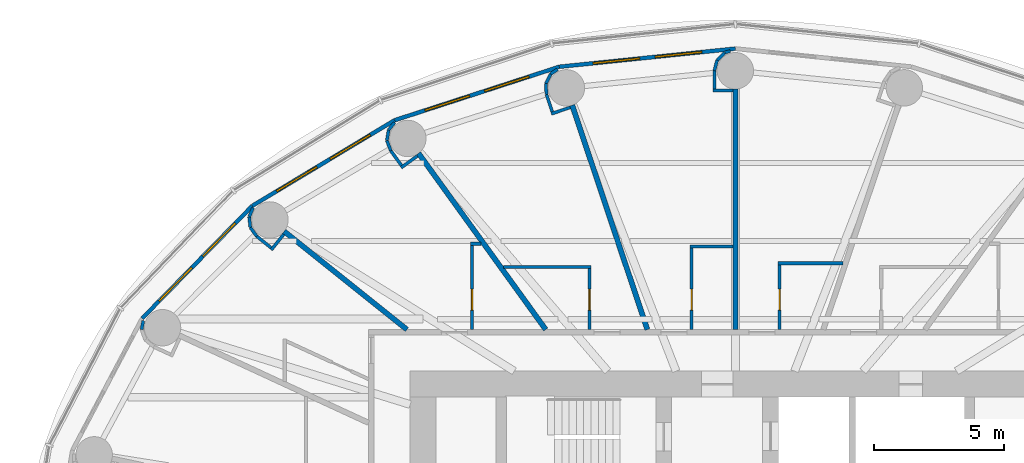
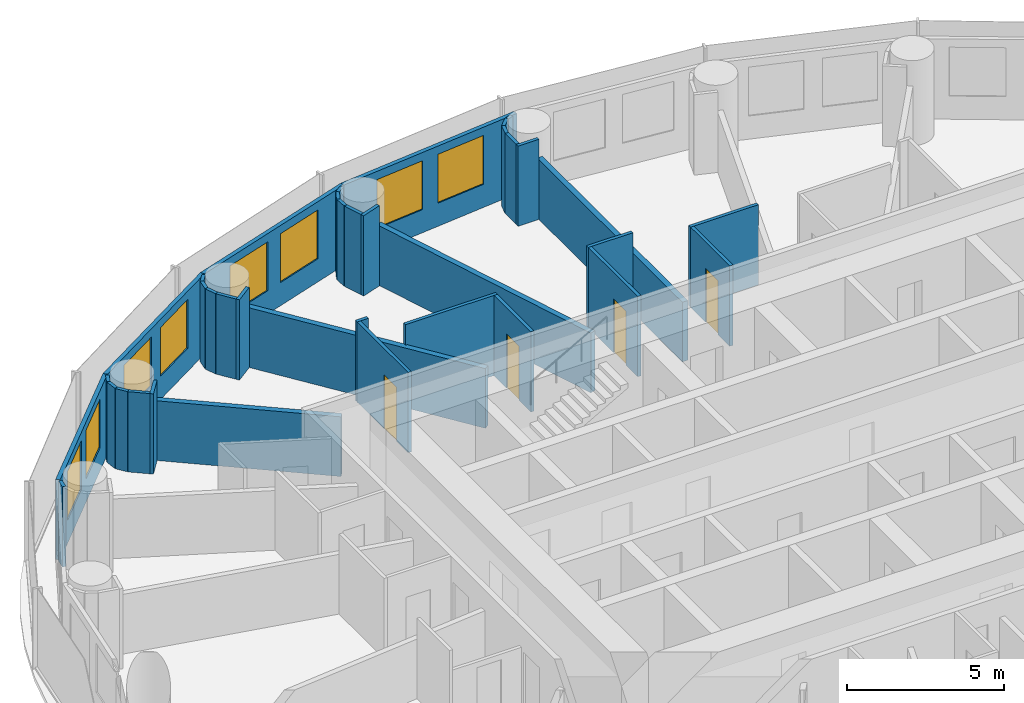
# One storey, part 12 of 14: 37 walls, 8 windows, 4 doors, 12 openings.
"""IFC4 building model written with IfcOpenShell, lengths in metres."""

import ifcopenshell
import ifcopenshell.guid

model = None  # the IFC model being written
_history = None  # IfcOwnerHistory: only IFC2X3 demands one
_inside = {}  # id of a spatial element -> (the spatial element, [elements in it])
_under = {}  # id of a project, library or spatial element -> (it, [spatial elements below it])
_declared = {}  # id of a project -> (the project, [libraries it declares])
_typed = {}  # id of a type object -> (the type object, [elements of that type])
_made_of = {}  # id of a material, layer set ... -> (it, [elements and type objects made of it])


def new_model(schema):
    """Start an empty IFC model of exactly this schema.

    Asked for "IFC4X3", IfcOpenShell would pick the latest addendum, in which some entities
    have other attributes; the version numbers below select the first issue.
    IFC2X3 requires an IfcOwnerHistory on every rooted entity: one is made here for all.
    """
    global model, _history
    if schema == "IFC4X3":
        model = ifcopenshell.file(schema_version=(4, 3, 0, 0))
    else:
        model = ifcopenshell.file(schema=schema)
    _inside.clear()
    _under.clear()
    _declared.clear()
    _typed.clear()
    _made_of.clear()
    _history = None
    if model.schema == "IFC2X3":
        org = make("IfcOrganization", Name="unknown")
        user = make(
            "IfcPersonAndOrganization",
            ThePerson=make("IfcPerson", FamilyName="unknown"),
            TheOrganization=org,
        )
        app = make(
            "IfcApplication",
            ApplicationDeveloper=org,
            Version="unknown",
            ApplicationFullName="unknown",
            ApplicationIdentifier="unknown",
        )
        _history = make(
            "IfcOwnerHistory",
            OwningUser=user,
            OwningApplication=app,
            ChangeAction="ADDED",
            CreationDate=0,
        )
    return model


def make(cls, **values):
    """One entity of the class cls with the attributes given. An attribute that is None is left unset."""
    return model.create_entity(
        cls, **{name: value for name, value in values.items() if value is not None}
    )


def rooted(cls, **values):
    """An entity with a GlobalId (a new one), such as an element, a storey or a relation."""
    return make(cls, GlobalId=ifcopenshell.guid.new(), OwnerHistory=_history, **values)


def si_unit(unit_type, name, prefix=None):
    """IfcSIUnit, for example si_unit("LENGTHUNIT", "METRE", prefix="MILLI")."""
    return make("IfcSIUnit", UnitType=unit_type, Prefix=prefix, Name=name)


def assignment(units):
    """IfcUnitAssignment: the units of a project."""
    return None if units is None else make("IfcUnitAssignment", Units=units)


def point(xyz):
    """IfcCartesianPoint."""
    return None if xyz is None else make("IfcCartesianPoint", Coordinates=xyz)


def direction(xyz):
    """IfcDirection."""
    return None if xyz is None else make("IfcDirection", DirectionRatios=xyz)


def frame(location, z_axis=None, x_axis=None):
    """IfcAxis2Placement3D, a coordinate frame: its origin and axes. An axis left out is left unset."""
    return make(
        "IfcAxis2Placement3D",
        Location=point(location),
        Axis=direction(z_axis),
        RefDirection=direction(x_axis),
    )


def frame_2d(location, x_axis=None):
    """IfcAxis2Placement2D, a coordinate frame in the plane: its origin and x axis."""
    return make(
        "IfcAxis2Placement2D", Location=point(location), RefDirection=direction(x_axis)
    )


def origin():
    """The frame at (0, 0, 0) with its axes left unset."""
    return frame((0.0, 0.0, 0.0))


def place(relative_to, where):
    """IfcLocalPlacement: puts the frame where relative to a parent placement (None: the world)."""
    return make(
        "IfcLocalPlacement", PlacementRelTo=relative_to, RelativePlacement=where
    )


def context(
    kind, dimensions, precision=None, world=None, true_north=None, identifier=None
):
    """IfcGeometricRepresentationContext, for example the 3D "Model" context."""
    return make(
        "IfcGeometricRepresentationContext",
        ContextIdentifier=identifier,
        ContextType=kind,
        CoordinateSpaceDimension=dimensions,
        Precision=precision,
        WorldCoordinateSystem=world,
        TrueNorth=true_north,
    )


def subcontext(parent, identifier, kind, view, scale=None):
    """IfcGeometricRepresentationSubContext, for example "Body" below "Model"."""
    return make(
        "IfcGeometricRepresentationSubContext",
        ContextIdentifier=identifier,
        ContextType=kind,
        ParentContext=parent,
        TargetScale=scale,
        TargetView=view,
    )


def project(units=None, contexts=None):
    """IfcProject with its units and contexts."""
    return rooted(
        "IfcProject",
        Name="project",
        RepresentationContexts=contexts,
        UnitsInContext=assignment(units),
    )


def spatial(cls, under=None, at=None, **own):
    """A site, building, storey or space (cls), placed at a placement, below another one or the project."""
    s = rooted(cls, ObjectPlacement=at, **own)
    if under is not None:
        _under.setdefault(under.id(), (under, []))[1].append(s)
    return s


def profile(cls, at=None, kind="AREA", **sizes):
    """A parametric profile (cls). Its sizes go by their IFC names, for example OverallWidth=200.0."""
    return make(cls, ProfileType=kind, Position=at, **sizes)


def rectangle(**sizes):
    """IfcRectangleProfileDef."""
    return profile("IfcRectangleProfileDef", **sizes)


def extrude(swept, where, along, depth):
    """IfcExtrudedAreaSolid: the profile swept, set in the frame where, extruded along a direction by depth."""
    return make(
        "IfcExtrudedAreaSolid",
        SweptArea=swept,
        Position=where,
        ExtrudedDirection=direction(along),
        Depth=depth,
    )


def shape(context_of_items, identifier, shape_type, items):
    """IfcShapeRepresentation: the items that make up one representation, for example the "Body"."""
    return make(
        "IfcShapeRepresentation",
        ContextOfItems=context_of_items,
        RepresentationIdentifier=identifier,
        RepresentationType=shape_type,
        Items=items,
    )


def material(Name=None, Category=None):
    """IfcMaterial."""
    return make("IfcMaterial", Name=Name, Category=Category)


def layer(
    of_material, thickness, ventilated=None, Name=None, Category=None, Priority=None
):
    """IfcMaterialLayer: one layer of a wall or slab, of a material (None: an air gap)."""
    return make(
        "IfcMaterialLayer",
        Material=of_material,
        LayerThickness=thickness,
        IsVentilated=ventilated,
        Name=Name,
        Category=Category,
        Priority=Priority,
    )


def layer_set(layers, Name=None):
    """IfcMaterialLayerSet."""
    return make("IfcMaterialLayerSet", MaterialLayers=layers, LayerSetName=Name)


def made_of(thing, what):
    """Note that an element or type object is made of a material, layer set ...; save() writes the relation."""
    if what is not None:
        _made_of.setdefault(what.id(), (what, []))[1].append(thing)
    return thing


def type_object(cls, material=None, **own):
    """A type object (cls), such as IfcWallType, which elements share."""
    return made_of(rooted(cls, **own), material)


def element(
    cls,
    number,
    at=None,
    inside=None,
    cuts=None,
    type_object=None,
    material=None,
    context=None,
    identifier="Body",
    shape_type=None,
    held_by="IfcProductDefinitionShape",
    body=None,
    shapes=None,
    **own,
):
    """One element of the class cls, such as IfcWall. Its Tag is "e" and its number.

    at: its placement. inside: the storey or other place that contains it. cuts: it is an
    opening in that element (IfcRelVoidsElement). A single representation is given by context,
    identifier, shape_type and body (its items); several are given by shapes. held_by: the class
    of the entity that holds the representations. save() writes the other relations.
    """
    e = rooted(cls, Tag="e%d" % number, ObjectPlacement=at, **own)
    if body is not None:
        shapes = [shape(context, identifier, shape_type, body)]
    if shapes is not None:
        e.Representation = make(held_by, Representations=shapes)
    if inside is not None:
        _inside.setdefault(inside.id(), (inside, []))[1].append(e)
    if cuts is not None:
        rooted(
            "IfcRelVoidsElement", RelatingBuildingElement=cuts, RelatedOpeningElement=e
        )
    if type_object is not None:
        _typed.setdefault(type_object.id(), (type_object, []))[1].append(e)
    return made_of(e, material)


def fill(opening, filler):
    """IfcRelFillsElement: the door or window that sits in an opening."""
    return rooted(
        "IfcRelFillsElement",
        RelatingOpeningElement=opening,
        RelatedBuildingElement=filler,
    )


def aggregate(whole, parts):
    """IfcRelAggregates: a whole, such as a stair, and the parts it consists of."""
    return rooted("IfcRelAggregates", RelatingObject=whole, RelatedObjects=parts)


def save(model, path):
    """Write the relations noted so far, then the file.

    IfcRelAggregates (storeys below a building ...), IfcRelContainedInSpatialStructure (elements
    in a storey), IfcRelDefinesByType, IfcRelAssociatesMaterial and IfcRelDeclares: one each for
    every whole, place, type object, material and project.
    """
    for whole, parts in _under.values():
        aggregate(whole, parts)
    for where, things in _inside.values():
        rooted(
            "IfcRelContainedInSpatialStructure",
            RelatedElements=things,
            RelatingStructure=where,
        )
    for kind, things in _typed.values():
        rooted("IfcRelDefinesByType", RelatedObjects=things, RelatingType=kind)
    for what, things in _made_of.values():
        rooted("IfcRelAssociatesMaterial", RelatedObjects=things, RelatingMaterial=what)
    for by, libraries in _declared.values():
        rooted("IfcRelDeclares", RelatingContext=by, RelatedDefinitions=libraries)
    model.write(path)


model = new_model("IFC4")

# Units and contexts
model_context = context("Model", 3, precision=1e-05, world=origin(), true_north=direction((0.0, 1.0)))
body_context = subcontext(model_context, "Body", "Model", "MODEL_VIEW")
ifc_project = project(units=[si_unit("LENGTHUNIT", "METRE"), si_unit("AREAUNIT", "SQUARE_METRE"), si_unit("VOLUMEUNIT", "CUBIC_METRE"), si_unit("PLANEANGLEUNIT", "RADIAN"), si_unit("MASSUNIT", "GRAM", prefix="KILO")], contexts=[model_context])

# Site, building, storey
site_placement = place(None, origin())
site = spatial("IfcSite", under=ifc_project, at=site_placement, CompositionType="ELEMENT")
building_placement = place(site_placement, origin())
building = spatial("IfcBuilding", under=site, at=building_placement, Name="Hankou Lantern Tower", CompositionType="ELEMENT")
storey_placement = place(building_placement, frame((0.0, 0.0, 60.60009765625)))
storey = spatial("IfcBuildingStorey", under=building, at=storey_placement, Name="L14", CompositionType="ELEMENT", Elevation=60.60009765625)

# Wall, openings, windows
ifc_material_1 = material(Name="Aluminium spandrel panel on steel studs", Category="steel")
ifc_layer_1 = layer(ifc_material_1, 0.14990234375)
ifc_layer_set_1 = layer_set([ifc_layer_1], Name="Aluminium spandrel panel on steel studs")
wall_type_1 = type_object("IfcWallType", Name="EW1 INNER SKIN WALL 150", PredefinedType="ELEMENTEDWALL", material=ifc_layer_set_1)
wall_1_placement = place(storey_placement, frame((0.0, 20.89990234375, 0.0), z_axis=(0.0, 0.0, 1.0), x_axis=(-0.994721394369, -0.102612609291, 0.0)))
wall_1 = element("IfcWall", 1, at=wall_1_placement, inside=storey, type_object=wall_type_1, Name="Inner skin R07-R08 L14", PredefinedType="ELEMENTEDWALL", context=body_context, shape_type="SweptSolid", body=[
    extrude(rectangle(XDim=6.80224609375, YDim=0.14990234375, at=frame_2d((3.401123046875, 0.0))), origin(), (0.0, 0.0, 1.0), 3.119873046875),
])
opening_1_placement = place(wall_1_placement, frame((1.301025390625, 0.0, 0.89990234375)))
opening_1 = element("IfcOpeningElement", 2, at=opening_1_placement, cuts=wall_1, Name="Opening W1", PredefinedType="OPENING", context=body_context, shape_type="SweptSolid", body=[
    extrude(rectangle(XDim=1.800048828125, YDim=1.89990234375, at=frame_2d((0.89990234375, 0.949951171875))), frame((0.0, 0.0849609375, 0.0), z_axis=(0.0, -1.0, 0.0), x_axis=(1.0, 0.0, 0.0)), (0.0, 0.0, 1.0), 0.169921875),
])
opening_2_placement = place(wall_1_placement, frame((3.701171875, 0.0, 0.89990234375)))
opening_2 = element("IfcOpeningElement", 3, at=opening_2_placement, cuts=wall_1, Name="Opening W1", PredefinedType="OPENING", context=body_context, shape_type="SweptSolid", body=[
    extrude(rectangle(XDim=1.800048828125, YDim=1.89990234375, at=frame_2d((0.89990234375, 0.949951171875))), frame((0.0, 0.0849609375, 0.0), z_axis=(0.0, -1.0, 0.0), x_axis=(1.0, 0.0, 0.0)), (0.0, 0.0, 1.0), 0.169921875),
])
ifc_material_2 = material(Name="Aluminium framed double glazed window", Category="aluminium")
window_type = type_object("IfcWindowType", Name="W1 GUEST ROOM WINDOW 1800X1900", PartitioningType="DOUBLE_PANEL_VERTICAL", PredefinedType="WINDOW", material=ifc_material_2)
window_1_placement = place(opening_1_placement, origin())
window_1 = element("IfcWindow", 4, at=window_1_placement, inside=storey, type_object=window_type, Name="Window R07.1 L14", OverallHeight=1.89990234375, OverallWidth=1.800048828125, PartitioningType="SINGLE_PANEL", PredefinedType="WINDOW", context=body_context, shape_type="SweptSolid", body=[
    extrude(rectangle(XDim=1.800048828125, YDim=1.89990234375, at=frame_2d((0.89990234375, 0.949951171875))), frame((0.0, 0.030029296875, 0.0), z_axis=(0.0, -1.0, 0.0), x_axis=(1.0, 0.0, 0.0)), (0.0, 0.0, 1.0), 0.06005859375),
])
fill(opening_1, window_1)
window_2_placement = place(opening_2_placement, origin())
window_2 = element("IfcWindow", 5, at=window_2_placement, inside=storey, type_object=window_type, Name="Window R07.2 L14", OverallHeight=1.89990234375, OverallWidth=1.800048828125, PartitioningType="SINGLE_PANEL", PredefinedType="WINDOW", context=body_context, shape_type="SweptSolid", body=[
    extrude(rectangle(XDim=1.800048828125, YDim=1.89990234375, at=frame_2d((0.89990234375, 0.949951171875))), frame((0.0, 0.030029296875, 0.0), z_axis=(0.0, -1.0, 0.0), x_axis=(1.0, 0.0, 0.0)), (0.0, 0.0, 1.0), 0.06005859375),
])
fill(opening_2, window_2)

wall_2_placement = place(storey_placement, frame((-6.766357421875, 20.201904296875, 0.0), z_axis=(0.0, 0.0, 1.0), x_axis=(-0.951137534625, -0.308767534285, 0.0)))
wall_2 = element("IfcWall", 6, at=wall_2_placement, inside=storey, type_object=wall_type_1, Name="Inner skin R08-R09 L14", PredefinedType="ELEMENTEDWALL", context=body_context, shape_type="SweptSolid", body=[
    extrude(rectangle(XDim=6.6552734375, YDim=0.14990234375, at=frame_2d((3.32763671875, 0.0))), origin(), (0.0, 0.0, 1.0), 3.119873046875),
])
opening_3_placement = place(wall_2_placement, frame((1.2275390625, 0.0, 0.89990234375)))
opening_3 = element("IfcOpeningElement", 7, at=opening_3_placement, cuts=wall_2, Name="Opening W1", PredefinedType="OPENING", context=body_context, shape_type="SweptSolid", body=[
    extrude(rectangle(XDim=1.800048828125, YDim=1.89990234375, at=frame_2d((0.89990234375, 0.949951171875))), frame((0.0, 0.0849609375, 0.0), z_axis=(0.0, -1.0, 0.0), x_axis=(1.0, 0.0, 0.0)), (0.0, 0.0, 1.0), 0.169921875),
])
opening_4_placement = place(wall_2_placement, frame((3.627685546875, 0.0, 0.89990234375)))
opening_4 = element("IfcOpeningElement", 8, at=opening_4_placement, cuts=wall_2, Name="Opening W1", PredefinedType="OPENING", context=body_context, shape_type="SweptSolid", body=[
    extrude(rectangle(XDim=1.800048828125, YDim=1.89990234375, at=frame_2d((0.89990234375, 0.949951171875))), frame((0.0, 0.0849609375, 0.0), z_axis=(0.0, -1.0, 0.0), x_axis=(1.0, 0.0, 0.0)), (0.0, 0.0, 1.0), 0.169921875),
])
window_3_placement = place(opening_3_placement, origin())
window_3 = element("IfcWindow", 9, at=window_3_placement, inside=storey, type_object=window_type, Name="Window R08.1 L14", OverallHeight=1.89990234375, OverallWidth=1.800048828125, PartitioningType="SINGLE_PANEL", PredefinedType="WINDOW", context=body_context, shape_type="SweptSolid", body=[
    extrude(rectangle(XDim=1.800048828125, YDim=1.89990234375, at=frame_2d((0.89990234375, 0.949951171875))), frame((0.0, 0.030029296875, 0.0), z_axis=(0.0, -1.0, 0.0), x_axis=(1.0, 0.0, 0.0)), (0.0, 0.0, 1.0), 0.06005859375),
])
fill(opening_3, window_3)
window_4_placement = place(opening_4_placement, origin())
window_4 = element("IfcWindow", 10, at=window_4_placement, inside=storey, type_object=window_type, Name="Window R08.2 L14", OverallHeight=1.89990234375, OverallWidth=1.800048828125, PartitioningType="SINGLE_PANEL", PredefinedType="WINDOW", context=body_context, shape_type="SweptSolid", body=[
    extrude(rectangle(XDim=1.800048828125, YDim=1.89990234375, at=frame_2d((0.89990234375, 0.949951171875))), frame((0.0, 0.030029296875, 0.0), z_axis=(0.0, -1.0, 0.0), x_axis=(1.0, 0.0, 0.0)), (0.0, 0.0, 1.0), 0.06005859375),
])
fill(opening_4, window_4)

wall_3_placement = place(storey_placement, frame((-13.096435546875, 18.14697265625, 0.0), z_axis=(0.0, 0.0, 1.0), x_axis=(-0.856983180864, -0.515344377787, 0.0)))
wall_3 = element("IfcWall", 11, at=wall_3_placement, inside=storey, type_object=wall_type_1, Name="Inner skin R09-R10 L14", PredefinedType="ELEMENTEDWALL", context=body_context, shape_type="SweptSolid", body=[
    extrude(rectangle(XDim=6.386474609375, YDim=0.14990234375, at=frame_2d((3.193359375, 0.0))), origin(), (0.0, 0.0, 1.0), 3.119873046875),
])
opening_5_placement = place(wall_3_placement, frame((1.09326171875, 0.0, 0.89990234375)))
opening_5 = element("IfcOpeningElement", 12, at=opening_5_placement, cuts=wall_3, Name="Opening W1", PredefinedType="OPENING", context=body_context, shape_type="SweptSolid", body=[
    extrude(rectangle(XDim=1.800048828125, YDim=1.89990234375, at=frame_2d((0.89990234375, 0.949951171875))), frame((0.0, 0.0849609375, 0.0), z_axis=(0.0, -1.0, 0.0), x_axis=(1.0, 0.0, 0.0)), (0.0, 0.0, 1.0), 0.169921875),
])
opening_6_placement = place(wall_3_placement, frame((3.4931640625, 0.0, 0.89990234375)))
opening_6 = element("IfcOpeningElement", 13, at=opening_6_placement, cuts=wall_3, Name="Opening W1", PredefinedType="OPENING", context=body_context, shape_type="SweptSolid", body=[
    extrude(rectangle(XDim=1.800048828125, YDim=1.89990234375, at=frame_2d((0.89990234375, 0.949951171875))), frame((0.0, 0.0849609375, 0.0), z_axis=(0.0, -1.0, 0.0), x_axis=(1.0, 0.0, 0.0)), (0.0, 0.0, 1.0), 0.169921875),
])
window_5_placement = place(opening_5_placement, origin())
window_5 = element("IfcWindow", 14, at=window_5_placement, inside=storey, type_object=window_type, Name="Window R09.1 L14", OverallHeight=1.89990234375, OverallWidth=1.800048828125, PartitioningType="SINGLE_PANEL", PredefinedType="WINDOW", context=body_context, shape_type="SweptSolid", body=[
    extrude(rectangle(XDim=1.800048828125, YDim=1.89990234375, at=frame_2d((0.89990234375, 0.949951171875))), frame((0.0, 0.030029296875, 0.0), z_axis=(0.0, -1.0, 0.0), x_axis=(1.0, 0.0, 0.0)), (0.0, 0.0, 1.0), 0.06005859375),
])
fill(opening_5, window_5)
window_6_placement = place(opening_6_placement, origin())
window_6 = element("IfcWindow", 15, at=window_6_placement, inside=storey, type_object=window_type, Name="Window R09.2 L14", OverallHeight=1.89990234375, OverallWidth=1.800048828125, PartitioningType="SINGLE_PANEL", PredefinedType="WINDOW", context=body_context, shape_type="SweptSolid", body=[
    extrude(rectangle(XDim=1.800048828125, YDim=1.89990234375, at=frame_2d((0.89990234375, 0.949951171875))), frame((0.0, 0.030029296875, 0.0), z_axis=(0.0, -1.0, 0.0), x_axis=(1.0, 0.0, 0.0)), (0.0, 0.0, 1.0), 0.06005859375),
])
fill(opening_6, window_6)

wall_4_placement = place(storey_placement, frame((-18.569580078125, 14.855712890625, 0.0), z_axis=(0.0, 0.0, 1.0), x_axis=(-0.699602905915, -0.714531856557, 0.0)))
wall_4 = element("IfcWall", 16, at=wall_4_placement, inside=storey, type_object=wall_type_1, Name="Inner skin R10-R11 L14", PredefinedType="ELEMENTEDWALL", context=body_context, shape_type="SweptSolid", body=[
    extrude(rectangle(XDim=6.05078125, YDim=0.14990234375, at=frame_2d((3.025390625, 0.0))), origin(), (0.0, 0.0, 1.0), 3.119873046875),
])
opening_7_placement = place(wall_4_placement, frame((0.925537109375, 0.0, 0.89990234375)))
opening_7 = element("IfcOpeningElement", 17, at=opening_7_placement, cuts=wall_4, Name="Opening W1", PredefinedType="OPENING", context=body_context, shape_type="SweptSolid", body=[
    extrude(rectangle(XDim=1.800048828125, YDim=1.89990234375, at=frame_2d((0.89990234375, 0.949951171875))), frame((0.0, 0.0849609375, 0.0), z_axis=(0.0, -1.0, 0.0), x_axis=(1.0, 0.0, 0.0)), (0.0, 0.0, 1.0), 0.169921875),
])
opening_8_placement = place(wall_4_placement, frame((3.325439453125, 0.0, 0.89990234375)))
opening_8 = element("IfcOpeningElement", 18, at=opening_8_placement, cuts=wall_4, Name="Opening W1", PredefinedType="OPENING", context=body_context, shape_type="SweptSolid", body=[
    extrude(rectangle(XDim=1.800048828125, YDim=1.89990234375, at=frame_2d((0.89990234375, 0.949951171875))), frame((0.0, 0.0849609375, 0.0), z_axis=(0.0, -1.0, 0.0), x_axis=(1.0, 0.0, 0.0)), (0.0, 0.0, 1.0), 0.169921875),
])
window_7_placement = place(opening_7_placement, origin())
window_7 = element("IfcWindow", 19, at=window_7_placement, inside=storey, type_object=window_type, Name="Window R10.1 L14", OverallHeight=1.89990234375, OverallWidth=1.800048828125, PartitioningType="SINGLE_PANEL", PredefinedType="WINDOW", context=body_context, shape_type="SweptSolid", body=[
    extrude(rectangle(XDim=1.800048828125, YDim=1.89990234375, at=frame_2d((0.89990234375, 0.949951171875))), frame((0.0, 0.030029296875, 0.0), z_axis=(0.0, -1.0, 0.0), x_axis=(1.0, 0.0, 0.0)), (0.0, 0.0, 1.0), 0.06005859375),
])
fill(opening_7, window_7)
window_8_placement = place(opening_8_placement, origin())
window_8 = element("IfcWindow", 20, at=window_8_placement, inside=storey, type_object=window_type, Name="Window R10.2 L14", OverallHeight=1.89990234375, OverallWidth=1.800048828125, PartitioningType="SINGLE_PANEL", PredefinedType="WINDOW", context=body_context, shape_type="SweptSolid", body=[
    extrude(rectangle(XDim=1.800048828125, YDim=1.89990234375, at=frame_2d((0.89990234375, 0.949951171875))), frame((0.0, 0.030029296875, 0.0), z_axis=(0.0, -1.0, 0.0), x_axis=(1.0, 0.0, 0.0)), (0.0, 0.0, 1.0), 0.06005859375),
])
fill(opening_8, window_8)

# Walls
ifc_material_3 = material(Name="Masonry lightweight concrete block", Category="masonry")
ifc_layer_2 = layer(ifc_material_3, 0.199951171875)
ifc_layer_set_2 = layer_set([ifc_layer_2], Name="Masonry lightweight concrete block")
wall_type_2 = type_object("IfcWallType", Name="IW1 GUEST ROOM PARTY WALL 200", PredefinedType="PARTITIONING", material=ifc_layer_set_2)
wall_5_placement = place(storey_placement, frame((0.0, 10.10009765625, 0.0), z_axis=(0.0, 0.0, 1.0), x_axis=(0.0, 1.0, 0.0)))
element("IfcWall", 21, at=wall_5_placement, inside=storey, type_object=wall_type_2, Name="Party wall R07", PredefinedType="PARTITIONING", context=body_context, shape_type="SweptSolid", body=[
    extrude(rectangle(XDim=9.25, YDim=0.199951171875, at=frame_2d((4.625, 0.0))), origin(), (0.0, 0.0, 1.0), 2.31982421875),
])
wall_6_placement = place(storey_placement, frame((-3.3828125, 10.10009765625, 0.0), z_axis=(0.0, 0.0, 1.0), x_axis=(-0.31759592231, 0.948226149256, 0.0)))
element("IfcWall", 22, at=wall_6_placement, inside=storey, type_object=wall_type_2, Name="Party wall R08", PredefinedType="PARTITIONING", context=body_context, shape_type="SweptSolid", body=[
    extrude(rectangle(XDim=9.098388671875, YDim=0.199951171875, at=frame_2d((4.54931640625, 0.0))), origin(), (0.0, 0.0, 1.0), 2.31982421875),
])
wall_7_placement = place(storey_placement, frame((-7.2890625, 10.10009765625, 0.0), z_axis=(0.0, 0.0, 1.0), x_axis=(-0.585198353053, 0.810890182197, 0.0)))
element("IfcWall", 23, at=wall_7_placement, inside=storey, type_object=wall_type_2, Name="Party wall R09", PredefinedType="PARTITIONING", context=body_context, shape_type="SweptSolid", body=[
    extrude(rectangle(XDim=8.359619140625, YDim=0.199951171875, at=frame_2d((4.1796875, 0.0))), origin(), (0.0, 0.0, 1.0), 2.31982421875),
])
wall_8_placement = place(storey_placement, frame((-12.625, 10.10009765625, 0.0), z_axis=(0.0, 0.0, 1.0), x_axis=(-0.780892451574, 0.624665493744, 0.0)))
element("IfcWall", 24, at=wall_8_placement, inside=storey, type_object=wall_type_2, Name="Party wall R10", PredefinedType="PARTITIONING", context=body_context, shape_type="SweptSolid", body=[
    extrude(rectangle(XDim=6.044677734375, YDim=0.199951171875, at=frame_2d((3.0224609375, 0.0))), origin(), (0.0, 0.0, 1.0), 2.31982421875),
])
ifc_material_4 = material(Name="Masonry lightweight concrete block", Category="masonry")
ifc_layer_3 = layer(ifc_material_4, 0.1201171875)
ifc_layer_set_3 = layer_set([ifc_layer_3], Name="Masonry lightweight concrete block")
wall_type_3 = type_object("IfcWallType", Name="IW3 BATHROOM WALL 120", PredefinedType="PARTITIONING", material=ifc_layer_set_3)
wall_9_placement = place(storey_placement, frame((4.136962890625, 12.64990234375, 0.0), z_axis=(0.0, 0.0, 1.0), x_axis=(-1.0, 0.0, 0.0)))
element("IfcWall", 25, at=wall_9_placement, inside=storey, type_object=wall_type_3, Name="Box wall 1406 1", PredefinedType="PARTITIONING", context=body_context, shape_type="SweptSolid", body=[
    extrude(rectangle(XDim=2.494140625, YDim=0.1201171875, at=frame_2d((1.2470703125, 0.0))), origin(), (0.0, 0.0, 1.0), 3.119873046875),
])

# Wall, opening, door
wall_10_placement = place(storey_placement, frame((1.702880859375, 10.10009765625, 0.0), z_axis=(0.0, 0.0, 1.0), x_axis=(0.0, 1.0, 0.0)))
wall_10 = element("IfcWall", 26, at=wall_10_placement, inside=storey, type_object=wall_type_3, Name="Box wall 1406 1", PredefinedType="PARTITIONING", context=body_context, shape_type="SweptSolid", body=[
    extrude(rectangle(XDim=2.489990234375, YDim=0.1201171875, at=frame_2d((1.2451171875, 0.0))), origin(), (0.0, 0.0, 1.0), 3.119873046875),
])
opening_9_placement = place(wall_10_placement, frame((0.75, 0.0, 0.0)))
opening_9 = element("IfcOpeningElement", 27, at=opening_9_placement, cuts=wall_10, Name="Opening D3", PredefinedType="OPENING", context=body_context, shape_type="SweptSolid", body=[
    extrude(rectangle(XDim=0.800048828125, YDim=2.10009765625, at=frame_2d((0.39990234375, 1.050048828125))), frame((0.0, 0.070068359375, 0.0), z_axis=(0.0, -1.0, 0.0), x_axis=(1.0, 0.0, 0.0)), (0.0, 0.0, 1.0), 0.14013671875),
])
ifc_material_5 = material(Name="Timber door leaf", Category="wood")
door_type = type_object("IfcDoorType", Name="D3 BATHROOM DOOR 800X2100", OperationType="SINGLE_SWING_LEFT", PredefinedType="DOOR", material=ifc_material_5)
door_1_placement = place(opening_9_placement, origin())
door_1 = element("IfcDoor", 28, at=door_1_placement, inside=storey, type_object=door_type, Name="En-suite bathroom 1406 door", OperationType="SINGLE_SWING_LEFT", OverallHeight=2.10009765625, OverallWidth=0.800048828125, PredefinedType="DOOR", context=body_context, shape_type="SweptSolid", body=[
    extrude(rectangle(XDim=0.800048828125, YDim=2.10009765625, at=frame_2d((0.39990234375, 1.050048828125))), frame((0.0, 0.02490234375, 0.0), z_axis=(0.0, -1.0, 0.0), x_axis=(1.0, 0.0, 0.0)), (0.0, 0.0, 1.0), 0.050048828125),
])
fill(opening_9, door_1)

# Wall
wall_11_placement = place(storey_placement, frame((-0.10009765625, 13.300048828125, 0.0), z_axis=(0.0, 0.0, 1.0), x_axis=(-1.0, 0.0, 0.0)))
element("IfcWall", 29, at=wall_11_placement, inside=storey, type_object=wall_type_3, Name="Box wall 1407 1", PredefinedType="PARTITIONING", context=body_context, shape_type="SweptSolid", body=[
    extrude(rectangle(XDim=1.639892578125, YDim=0.1201171875, at=frame_2d((0.81982421875, 0.0))), origin(), (0.0, 0.0, 1.0), 3.119873046875),
])

# Wall, opening, door
wall_12_placement = place(storey_placement, frame((-1.679931640625, 10.10009765625, 0.0), z_axis=(0.0, 0.0, 1.0), x_axis=(0.0, 1.0, 0.0)))
wall_12 = element("IfcWall", 30, at=wall_12_placement, inside=storey, type_object=wall_type_3, Name="Box wall 1407 1", PredefinedType="PARTITIONING", context=body_context, shape_type="SweptSolid", body=[
    extrude(rectangle(XDim=3.139892578125, YDim=0.1201171875, at=frame_2d((1.56982421875, 0.0))), origin(), (0.0, 0.0, 1.0), 3.119873046875),
])
opening_10_placement = place(wall_12_placement, frame((0.75, 0.0, 0.0)))
opening_10 = element("IfcOpeningElement", 31, at=opening_10_placement, cuts=wall_12, Name="Opening D3", PredefinedType="OPENING", context=body_context, shape_type="SweptSolid", body=[
    extrude(rectangle(XDim=0.800048828125, YDim=2.10009765625, at=frame_2d((0.39990234375, 1.050048828125))), frame((0.0, 0.070068359375, 0.0), z_axis=(0.0, -1.0, 0.0), x_axis=(1.0, 0.0, 0.0)), (0.0, 0.0, 1.0), 0.14013671875),
])
door_2_placement = place(opening_10_placement, origin())
door_2 = element("IfcDoor", 32, at=door_2_placement, inside=storey, type_object=door_type, Name="En-suite bathroom 1407 door", OperationType="SINGLE_SWING_LEFT", OverallHeight=2.10009765625, OverallWidth=0.800048828125, PredefinedType="DOOR", context=body_context, shape_type="SweptSolid", body=[
    extrude(rectangle(XDim=0.800048828125, YDim=2.10009765625, at=frame_2d((0.39990234375, 1.050048828125))), frame((0.0, 0.02490234375, 0.0), z_axis=(0.0, -1.0, 0.0), x_axis=(1.0, 0.0, 0.0)), (0.0, 0.0, 1.0), 0.050048828125),
])
fill(opening_10, door_2)

# Wall
wall_13_placement = place(storey_placement, frame((-8.921142578125, 12.5, 0.0), z_axis=(0.0, 0.0, 1.0), x_axis=(1.0, 0.0, 0.0)))
element("IfcWall", 33, at=wall_13_placement, inside=storey, type_object=wall_type_3, Name="Box wall 1408 1", PredefinedType="PARTITIONING", context=body_context, shape_type="SweptSolid", body=[
    extrude(rectangle(XDim=3.3720703125, YDim=0.1201171875, at=frame_2d((1.68603515625, 0.0))), origin(), (0.0, 0.0, 1.0), 3.119873046875),
])

# Wall, opening, door
wall_14_placement = place(storey_placement, frame((-5.609130859375, 10.10009765625, 0.0), z_axis=(0.0, 0.0, 1.0), x_axis=(0.0, 1.0, 0.0)))
wall_14 = element("IfcWall", 34, at=wall_14_placement, inside=storey, type_object=wall_type_3, Name="Box wall 1408 1", PredefinedType="PARTITIONING", context=body_context, shape_type="SweptSolid", body=[
    extrude(rectangle(XDim=2.33984375, YDim=0.1201171875, at=frame_2d((1.169921875, 0.0))), origin(), (0.0, 0.0, 1.0), 3.119873046875),
])
opening_11_placement = place(wall_14_placement, frame((0.75, 0.0, 0.0)))
opening_11 = element("IfcOpeningElement", 35, at=opening_11_placement, cuts=wall_14, Name="Opening D3", PredefinedType="OPENING", context=body_context, shape_type="SweptSolid", body=[
    extrude(rectangle(XDim=0.800048828125, YDim=2.10009765625, at=frame_2d((0.39990234375, 1.050048828125))), frame((0.0, 0.070068359375, 0.0), z_axis=(0.0, -1.0, 0.0), x_axis=(1.0, 0.0, 0.0)), (0.0, 0.0, 1.0), 0.14013671875),
])
door_3_placement = place(opening_11_placement, origin())
door_3 = element("IfcDoor", 36, at=door_3_placement, inside=storey, type_object=door_type, Name="En-suite bathroom 1408 door", OperationType="SINGLE_SWING_LEFT", OverallHeight=2.10009765625, OverallWidth=0.800048828125, PredefinedType="DOOR", context=body_context, shape_type="SweptSolid", body=[
    extrude(rectangle(XDim=0.800048828125, YDim=2.10009765625, at=frame_2d((0.39990234375, 1.050048828125))), frame((0.0, 0.02490234375, 0.0), z_axis=(0.0, -1.0, 0.0), x_axis=(1.0, 0.0, 0.0)), (0.0, 0.0, 1.0), 0.050048828125),
])
fill(opening_11, door_3)

# Wall
wall_15_placement = place(storey_placement, frame((-9.7705078125, 13.39990234375, 0.0), z_axis=(0.0, 0.0, 1.0), x_axis=(-1.0, 0.0, 0.0)))
element("IfcWall", 37, at=wall_15_placement, inside=storey, type_object=wall_type_3, Name="Box wall 1409 1", PredefinedType="PARTITIONING", context=body_context, shape_type="SweptSolid", body=[
    extrude(rectangle(XDim=0.408447265625, YDim=0.1201171875, at=frame_2d((0.2041015625, 0.0))), origin(), (0.0, 0.0, 1.0), 3.119873046875),
])

# Wall, opening, door
wall_16_placement = place(storey_placement, frame((-10.119140625, 10.10009765625, 0.0), z_axis=(0.0, 0.0, 1.0), x_axis=(0.0, 1.0, 0.0)))
wall_16 = element("IfcWall", 38, at=wall_16_placement, inside=storey, type_object=wall_type_3, Name="Box wall 1409 1", PredefinedType="PARTITIONING", context=body_context, shape_type="SweptSolid", body=[
    extrude(rectangle(XDim=3.239990234375, YDim=0.1201171875, at=frame_2d((1.6201171875, 0.0))), origin(), (0.0, 0.0, 1.0), 3.119873046875),
])
opening_12_placement = place(wall_16_placement, frame((0.75, 0.0, 0.0)))
opening_12 = element("IfcOpeningElement", 39, at=opening_12_placement, cuts=wall_16, Name="Opening D3", PredefinedType="OPENING", context=body_context, shape_type="SweptSolid", body=[
    extrude(rectangle(XDim=0.800048828125, YDim=2.10009765625, at=frame_2d((0.39990234375, 1.050048828125))), frame((0.0, 0.070068359375, 0.0), z_axis=(0.0, -1.0, 0.0), x_axis=(1.0, 0.0, 0.0)), (0.0, 0.0, 1.0), 0.14013671875),
])
door_4_placement = place(opening_12_placement, origin())
door_4 = element("IfcDoor", 40, at=door_4_placement, inside=storey, type_object=door_type, Name="En-suite bathroom 1409 door", OperationType="SINGLE_SWING_LEFT", OverallHeight=2.10009765625, OverallWidth=0.800048828125, PredefinedType="DOOR", context=body_context, shape_type="SweptSolid", body=[
    extrude(rectangle(XDim=0.800048828125, YDim=2.10009765625, at=frame_2d((0.39990234375, 1.050048828125))), frame((0.0, 0.02490234375, 0.0), z_axis=(0.0, -1.0, 0.0), x_axis=(1.0, 0.0, 0.0)), (0.0, 0.0, 1.0), 0.050048828125),
])
fill(opening_12, door_4)

# Walls
ifc_material_6 = material(Name="Masonry lightweight concrete block", Category="masonry")
ifc_layer_4 = layer(ifc_material_6, 0.1201171875)
ifc_layer_set_4 = layer_set([ifc_layer_4], Name="Masonry lightweight concrete block")
wall_type_4 = type_object("IfcWallType", Name="IW4 PARTITION 120", PredefinedType="PARTITIONING", material=ifc_layer_set_4)
wall_17_placement = place(storey_placement, frame((-0.10009765625, 19.2900390625, 0.0), z_axis=(0.0, 0.0, 1.0), x_axis=(-1.0, 0.0, 0.0)))
element("IfcWall", 41, at=wall_17_placement, inside=storey, type_object=wall_type_4, Name="Column casing R07 return", PredefinedType="PARTITIONING", context=body_context, shape_type="SweptSolid", body=[
    extrude(rectangle(XDim=0.767333984375, YDim=0.1201171875, at=frame_2d((0.3837890625, 0.0))), origin(), (0.0, 0.0, 1.0), 3.119873046875),
])
wall_18_placement = place(storey_placement, frame((-0.8076171875, 19.35009765625, 0.0), z_axis=(0.0, 0.0, 1.0), x_axis=(0.0, 1.0, 0.0)))
element("IfcWall", 42, at=wall_18_placement, inside=storey, type_object=wall_type_4, Name="Column casing R07", PredefinedType="PARTITIONING", context=body_context, shape_type="SweptSolid", body=[
    extrude(rectangle(XDim=0.699951171875, YDim=0.1201171875, at=frame_2d((0.35009765625, 0.0))), origin(), (0.0, 0.0, 1.0), 3.119873046875),
])
wall_19_placement = place(storey_placement, frame((-0.8076171875, 20.050048828125, 0.0), z_axis=(0.0, 0.0, 1.0), x_axis=(0.2592614205, 0.965807183573, 0.0)))
element("IfcWall", 43, at=wall_19_placement, inside=storey, type_object=wall_type_4, Name="Column casing R07", PredefinedType="PARTITIONING", context=body_context, shape_type="SweptSolid", body=[
    extrude(rectangle(XDim=0.418212890625, YDim=0.1201171875, at=frame_2d((0.208984375, 0.0))), origin(), (0.0, 0.0, 1.0), 3.119873046875),
])
wall_20_placement = place(storey_placement, frame((-0.69921875, 20.453857421875, 0.0), z_axis=(0.0, 0.0, 1.0), x_axis=(0.707106781187, 0.707106781187, 0.0)))
element("IfcWall", 44, at=wall_20_placement, inside=storey, type_object=wall_type_4, Name="Column casing R07", PredefinedType="PARTITIONING", context=body_context, shape_type="SweptSolid", body=[
    extrude(rectangle(XDim=0.417724609375, YDim=0.1201171875, at=frame_2d((0.208984375, 0.0))), origin(), (0.0, 0.0, 1.0), 3.119873046875),
])
wall_21_placement = place(storey_placement, frame((-0.40380859375, 20.749267578125, 0.0), z_axis=(0.0, 0.0, 1.0), x_axis=(0.965759066438, 0.25944060128, 0.0)))
element("IfcWall", 45, at=wall_21_placement, inside=storey, type_object=wall_type_4, Name="Column casing R07", PredefinedType="PARTITIONING", context=body_context, shape_type="SweptSolid", body=[
    extrude(rectangle(XDim=0.213623046875, YDim=0.1201171875, at=frame_2d((0.10693359375, 0.0))), origin(), (0.0, 0.0, 1.0), 3.119873046875),
])
wall_22_placement = place(storey_placement, frame((-6.348388671875, 18.638916015625, 0.0), z_axis=(0.0, 0.0, 1.0), x_axis=(-0.948268951266, -0.317468102437, 0.0)))
element("IfcWall", 46, at=wall_22_placement, inside=storey, type_object=wall_type_4, Name="Column casing R08 return", PredefinedType="PARTITIONING", context=body_context, shape_type="SweptSolid", body=[
    extrude(rectangle(XDim=0.767578125, YDim=0.1201171875, at=frame_2d((0.3837890625, 0.0))), origin(), (0.0, 0.0, 1.0), 3.119873046875),
])
wall_23_placement = place(storey_placement, frame((-7.038330078125, 18.47119140625, 0.0), z_axis=(0.0, 0.0, 1.0), x_axis=(-0.317378466199, 0.9482989556, 0.0)))
element("IfcWall", 47, at=wall_23_placement, inside=storey, type_object=wall_type_4, Name="Column casing R08", PredefinedType="PARTITIONING", context=body_context, shape_type="SweptSolid", body=[
    extrude(rectangle(XDim=0.699951171875, YDim=0.1201171875, at=frame_2d((0.35009765625, 0.0))), origin(), (0.0, 0.0, 1.0), 3.119873046875),
])
wall_24_placement = place(storey_placement, frame((-7.260498046875, 19.135009765625, 0.0), z_axis=(0.0, 0.0, 1.0), x_axis=(-0.0613238046, 0.99811792439, 0.0)))
element("IfcWall", 48, at=wall_24_placement, inside=storey, type_object=wall_type_4, Name="Column casing R08", PredefinedType="PARTITIONING", context=body_context, shape_type="SweptSolid", body=[
    extrude(rectangle(XDim=0.41796875, YDim=0.1201171875, at=frame_2d((0.208984375, 0.0))), origin(), (0.0, 0.0, 1.0), 3.119873046875),
])
wall_25_placement = place(storey_placement, frame((-7.2861328125, 19.55224609375, 0.0), z_axis=(0.0, 0.0, 1.0), x_axis=(0.445810757773, 0.89512723579, 0.0)))
element("IfcWall", 49, at=wall_25_placement, inside=storey, type_object=wall_type_4, Name="Column casing R08", PredefinedType="PARTITIONING", context=body_context, shape_type="SweptSolid", body=[
    extrude(rectangle(XDim=0.417724609375, YDim=0.1201171875, at=frame_2d((0.208984375, 0.0))), origin(), (0.0, 0.0, 1.0), 3.119873046875),
])
wall_26_placement = place(storey_placement, frame((-7.099853515625, 19.92626953125, 0.0), z_axis=(0.0, 0.0, 1.0), x_axis=(0.833488262509, 0.552537162787, 0.0)))
element("IfcWall", 50, at=wall_26_placement, inside=storey, type_object=wall_type_4, Name="Column casing R08", PredefinedType="PARTITIONING", context=body_context, shape_type="SweptSolid", body=[
    extrude(rectangle(XDim=0.312744140625, YDim=0.1201171875, at=frame_2d((0.15625, 0.0))), origin(), (0.0, 0.0, 1.0), 3.119873046875),
])
wall_27_placement = place(storey_placement, frame((-12.227294921875, 16.771728515625, 0.0), z_axis=(0.0, 0.0, 1.0), x_axis=(-0.810821798253, -0.585293098778, 0.0)))
element("IfcWall", 51, at=wall_27_placement, inside=storey, type_object=wall_type_4, Name="Column casing R09 return", PredefinedType="PARTITIONING", context=body_context, shape_type="SweptSolid", body=[
    extrude(rectangle(XDim=0.767578125, YDim=0.1201171875, at=frame_2d((0.3837890625, 0.0))), origin(), (0.0, 0.0, 1.0), 3.119873046875),
])
wall_28_placement = place(storey_placement, frame((-12.8359375, 16.40625, 0.0), z_axis=(0.0, 0.0, 1.0), x_axis=(-0.585223113993, 0.810872312296, 0.0)))
element("IfcWall", 52, at=wall_28_placement, inside=storey, type_object=wall_type_4, Name="Column casing R09", PredefinedType="PARTITIONING", context=body_context, shape_type="SweptSolid", body=[
    extrude(rectangle(XDim=0.699951171875, YDim=0.1201171875, at=frame_2d((0.35009765625, 0.0))), origin(), (0.0, 0.0, 1.0), 3.119873046875),
])
wall_29_placement = place(storey_placement, frame((-13.24560546875, 16.973876953125, 0.0), z_axis=(0.0, 0.0, 1.0), x_axis=(-0.355728122235, 0.934589483705, 0.0)))
element("IfcWall", 53, at=wall_29_placement, inside=storey, type_object=wall_type_4, Name="Column casing R09", PredefinedType="PARTITIONING", context=body_context, shape_type="SweptSolid", body=[
    extrude(rectangle(XDim=0.41796875, YDim=0.1201171875, at=frame_2d((0.208984375, 0.0))), origin(), (0.0, 0.0, 1.0), 3.119873046875),
])
wall_30_placement = place(storey_placement, frame((-13.394287109375, 17.364501953125, 0.0), z_axis=(0.0, 0.0, 1.0), x_axis=(0.159379276926, 0.987217425943, 0.0)))
element("IfcWall", 54, at=wall_30_placement, inside=storey, type_object=wall_type_4, Name="Column casing R09", PredefinedType="PARTITIONING", context=body_context, shape_type="SweptSolid", body=[
    extrude(rectangle(XDim=0.418212890625, YDim=0.1201171875, at=frame_2d((0.208984375, 0.0))), origin(), (0.0, 0.0, 1.0), 3.119873046875),
])
wall_31_placement = place(storey_placement, frame((-13.32763671875, 17.77734375, 0.0), z_axis=(0.0, 0.0, 1.0), x_axis=(0.632276783541, 0.774742582407, 0.0)))
element("IfcWall", 55, at=wall_31_placement, inside=storey, type_object=wall_type_4, Name="Column casing R09", PredefinedType="PARTITIONING", context=body_context, shape_type="SweptSolid", body=[
    extrude(rectangle(XDim=0.35986328125, YDim=0.1201171875, at=frame_2d((0.179931640625, 0.0))), origin(), (0.0, 0.0, 1.0), 3.119873046875),
])
wall_32_placement = place(storey_placement, frame((-17.36083984375, 13.760498046875, 0.0), z_axis=(0.0, 0.0, 1.0), x_axis=(-0.624501042889, -0.781023973659, 0.0)))
element("IfcWall", 56, at=wall_32_placement, inside=storey, type_object=wall_type_4, Name="Column casing R10 return", PredefinedType="PARTITIONING", context=body_context, shape_type="SweptSolid", body=[
    extrude(rectangle(XDim=0.767333984375, YDim=0.1201171875, at=frame_2d((0.3837890625, 0.0))), origin(), (0.0, 0.0, 1.0), 3.119873046875),
])
wall_33_placement = place(storey_placement, frame((-17.849609375, 13.24560546875, 0.0), z_axis=(0.0, 0.0, 1.0), x_axis=(-0.780902834923, 0.62465251333, 0.0)))
element("IfcWall", 57, at=wall_33_placement, inside=storey, type_object=wall_type_4, Name="Column casing R10", PredefinedType="PARTITIONING", context=body_context, shape_type="SweptSolid", body=[
    extrude(rectangle(XDim=0.699951171875, YDim=0.1201171875, at=frame_2d((0.35009765625, 0.0))), origin(), (0.0, 0.0, 1.0), 3.119873046875),
])
for number, where, z_axis, x_axis, name in (
    (58, (-18.396240234375, 13.682861328125, 0.0), (0.0, 0.0, 1.0), (-0.592401603461, 0.805642811807, 0.0), "Column casing R10"),
    (59, (-18.643798828125, 14.01953125, 0.0), (0.0, 0.0, 1.0), (-0.110367433259, 0.993890854006, 0.0), "Column casing R10"),
):
    element("IfcWall", number, at=place(storey_placement, frame(where, z_axis=z_axis, x_axis=x_axis)), inside=storey, type_object=wall_type_4, Name=name, PredefinedType="PARTITIONING", context=body_context, shape_type="SweptSolid", body=[
        extrude(rectangle(XDim=0.41796875, YDim=0.1201171875, at=frame_2d((0.208984375, 0.0))), origin(), (0.0, 0.0, 1.0), 3.119873046875),
    ])
wall_34_placement = place(storey_placement, frame((-18.68994140625, 14.43505859375, 0.0), z_axis=(0.0, 0.0, 1.0), x_axis=(0.401093412634, 0.91603715773, 0.0)))
element("IfcWall", 60, at=wall_34_placement, inside=storey, type_object=wall_type_4, Name="Column casing R10", PredefinedType="PARTITIONING", context=body_context, shape_type="SweptSolid", body=[
    extrude(rectangle(XDim=0.373046875, YDim=0.1201171875, at=frame_2d((0.1865234375, 0.0))), origin(), (0.0, 0.0, 1.0), 3.119873046875),
])
wall_35_placement = place(storey_placement, frame((-22.8232421875, 10.096923828125, 0.0), z_axis=(0.0, 0.0, 1.0), x_axis=(0.169674995186, 0.985500074079, 0.0)))
element("IfcWall", 61, at=wall_35_placement, inside=storey, type_object=wall_type_4, Name="Column casing R11", PredefinedType="PARTITIONING", context=body_context, shape_type="SweptSolid", body=[
    extrude(rectangle(XDim=0.3525390625, YDim=0.1201171875, at=frame_2d((0.17626953125, 0.0))), origin(), (0.0, 0.0, 1.0), 3.119873046875),
])

save(model, "model.ifc")
